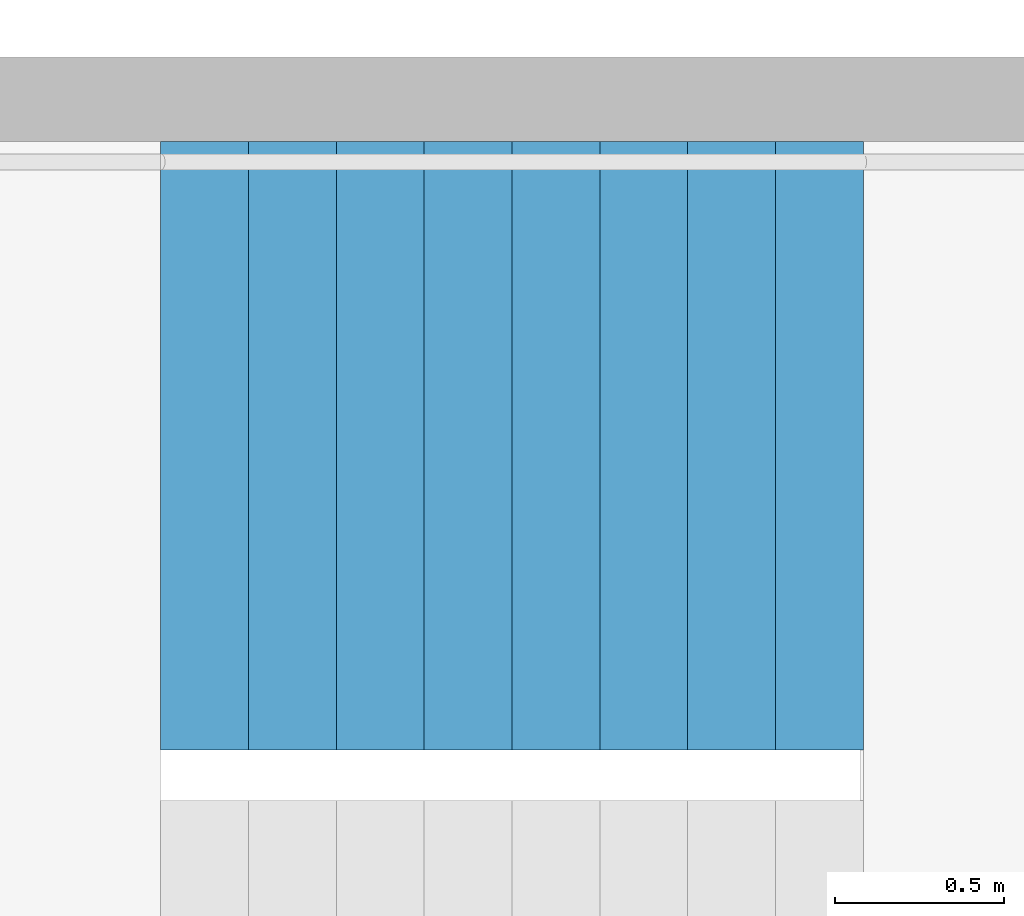
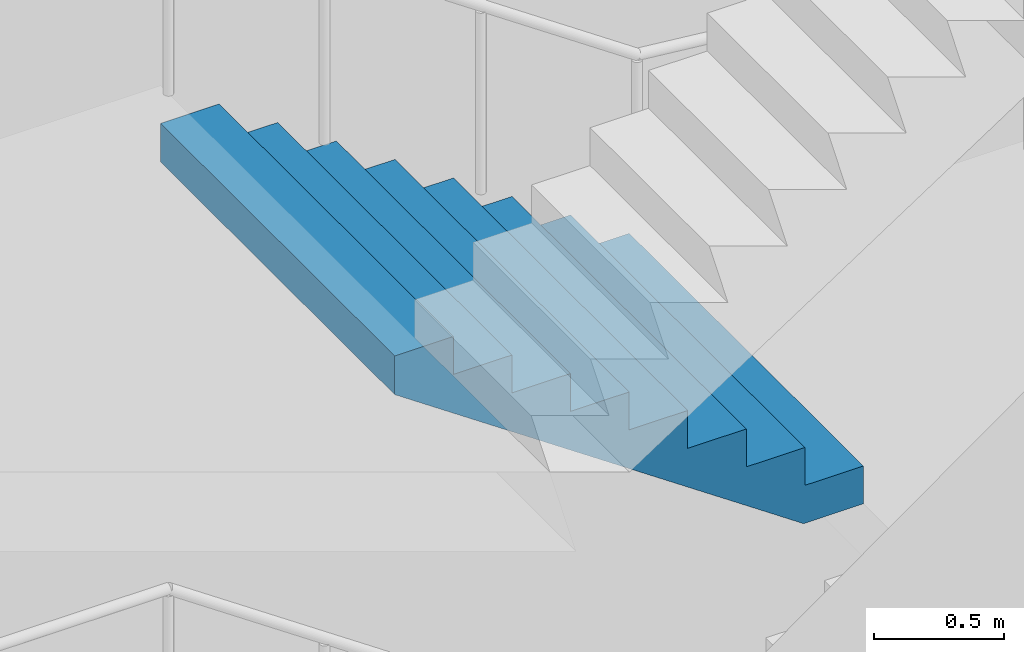
# One storey, part 18 of 41: 1 stair flight, 1 element without a shape of its own.
"""IFC4 building model written with IfcOpenShell, lengths in metres."""

import ifcopenshell
import ifcopenshell.guid

model = None  # the IFC model being written
_history = None  # IfcOwnerHistory: only IFC2X3 demands one
_inside = {}  # id of a spatial element -> (the spatial element, [elements in it])
_under = {}  # id of a project, library or spatial element -> (it, [spatial elements below it])
_declared = {}  # id of a project -> (the project, [libraries it declares])
_typed = {}  # id of a type object -> (the type object, [elements of that type])
_made_of = {}  # id of a material, layer set ... -> (it, [elements and type objects made of it])


def new_model(schema):
    """Start an empty IFC model of exactly this schema.

    Asked for "IFC4X3", IfcOpenShell would pick the latest addendum, in which some entities
    have other attributes; the version numbers below select the first issue.
    IFC2X3 requires an IfcOwnerHistory on every rooted entity: one is made here for all.
    """
    global model, _history
    if schema == "IFC4X3":
        model = ifcopenshell.file(schema_version=(4, 3, 0, 0))
    else:
        model = ifcopenshell.file(schema=schema)
    _inside.clear()
    _under.clear()
    _declared.clear()
    _typed.clear()
    _made_of.clear()
    _history = None
    if model.schema == "IFC2X3":
        org = make("IfcOrganization", Name="unknown")
        user = make(
            "IfcPersonAndOrganization",
            ThePerson=make("IfcPerson", FamilyName="unknown"),
            TheOrganization=org,
        )
        app = make(
            "IfcApplication",
            ApplicationDeveloper=org,
            Version="unknown",
            ApplicationFullName="unknown",
            ApplicationIdentifier="unknown",
        )
        _history = make(
            "IfcOwnerHistory",
            OwningUser=user,
            OwningApplication=app,
            ChangeAction="ADDED",
            CreationDate=0,
        )
    return model


def make(cls, **values):
    """One entity of the class cls with the attributes given. An attribute that is None is left unset."""
    return model.create_entity(
        cls, **{name: value for name, value in values.items() if value is not None}
    )


def rooted(cls, **values):
    """An entity with a GlobalId (a new one), such as an element, a storey or a relation."""
    return make(cls, GlobalId=ifcopenshell.guid.new(), OwnerHistory=_history, **values)


def si_unit(unit_type, name, prefix=None):
    """IfcSIUnit, for example si_unit("LENGTHUNIT", "METRE", prefix="MILLI")."""
    return make("IfcSIUnit", UnitType=unit_type, Prefix=prefix, Name=name)


def assignment(units):
    """IfcUnitAssignment: the units of a project."""
    return None if units is None else make("IfcUnitAssignment", Units=units)


def point(xyz):
    """IfcCartesianPoint."""
    return None if xyz is None else make("IfcCartesianPoint", Coordinates=xyz)


def direction(xyz):
    """IfcDirection."""
    return None if xyz is None else make("IfcDirection", DirectionRatios=xyz)


def frame(location, z_axis=None, x_axis=None):
    """IfcAxis2Placement3D, a coordinate frame: its origin and axes. An axis left out is left unset."""
    return make(
        "IfcAxis2Placement3D",
        Location=point(location),
        Axis=direction(z_axis),
        RefDirection=direction(x_axis),
    )


def origin():
    """The frame at (0, 0, 0) with its axes left unset."""
    return frame((0.0, 0.0, 0.0))


def place(relative_to, where):
    """IfcLocalPlacement: puts the frame where relative to a parent placement (None: the world)."""
    return make(
        "IfcLocalPlacement", PlacementRelTo=relative_to, RelativePlacement=where
    )


def context(
    kind, dimensions, precision=None, world=None, true_north=None, identifier=None
):
    """IfcGeometricRepresentationContext, for example the 3D "Model" context."""
    return make(
        "IfcGeometricRepresentationContext",
        ContextIdentifier=identifier,
        ContextType=kind,
        CoordinateSpaceDimension=dimensions,
        Precision=precision,
        WorldCoordinateSystem=world,
        TrueNorth=true_north,
    )


def subcontext(parent, identifier, kind, view, scale=None):
    """IfcGeometricRepresentationSubContext, for example "Body" below "Model"."""
    return make(
        "IfcGeometricRepresentationSubContext",
        ContextIdentifier=identifier,
        ContextType=kind,
        ParentContext=parent,
        TargetScale=scale,
        TargetView=view,
    )


def project(units=None, contexts=None):
    """IfcProject with its units and contexts."""
    return rooted(
        "IfcProject",
        Name="project",
        RepresentationContexts=contexts,
        UnitsInContext=assignment(units),
    )


def spatial(cls, under=None, at=None, **own):
    """A site, building, storey or space (cls), placed at a placement, below another one or the project."""
    s = rooted(cls, ObjectPlacement=at, **own)
    if under is not None:
        _under.setdefault(under.id(), (under, []))[1].append(s)
    return s


def point_list(points):
    """IfcCartesianPointList2D or 3D."""
    cls = (
        "IfcCartesianPointList2D" if len(points[0]) == 2 else "IfcCartesianPointList3D"
    )
    return make(cls, CoordList=points)


def triangles(points, corners, closed=None, point_numbers=None):
    """IfcTriangulatedFaceSet: each triangle names its three corners, points numbered from 1."""
    return make(
        "IfcTriangulatedFaceSet",
        Coordinates=point_list(points),
        Closed=closed,
        CoordIndex=corners,
        PnIndex=point_numbers,
    )


def shape(context_of_items, identifier, shape_type, items):
    """IfcShapeRepresentation: the items that make up one representation, for example the "Body"."""
    return make(
        "IfcShapeRepresentation",
        ContextOfItems=context_of_items,
        RepresentationIdentifier=identifier,
        RepresentationType=shape_type,
        Items=items,
    )


def material(Name=None, Category=None):
    """IfcMaterial."""
    return make("IfcMaterial", Name=Name, Category=Category)


def made_of(thing, what):
    """Note that an element or type object is made of a material, layer set ...; save() writes the relation."""
    if what is not None:
        _made_of.setdefault(what.id(), (what, []))[1].append(thing)
    return thing


def type_object(cls, material=None, **own):
    """A type object (cls), such as IfcWallType, which elements share."""
    return made_of(rooted(cls, **own), material)


def element(
    cls,
    number,
    at=None,
    inside=None,
    cuts=None,
    type_object=None,
    material=None,
    context=None,
    identifier="Body",
    shape_type=None,
    held_by="IfcProductDefinitionShape",
    body=None,
    shapes=None,
    **own,
):
    """One element of the class cls, such as IfcWall. Its Tag is "e" and its number.

    at: its placement. inside: the storey or other place that contains it. cuts: it is an
    opening in that element (IfcRelVoidsElement). A single representation is given by context,
    identifier, shape_type and body (its items); several are given by shapes. held_by: the class
    of the entity that holds the representations. save() writes the other relations.
    """
    e = rooted(cls, Tag="e%d" % number, ObjectPlacement=at, **own)
    if body is not None:
        shapes = [shape(context, identifier, shape_type, body)]
    if shapes is not None:
        e.Representation = make(held_by, Representations=shapes)
    if inside is not None:
        _inside.setdefault(inside.id(), (inside, []))[1].append(e)
    if cuts is not None:
        rooted(
            "IfcRelVoidsElement", RelatingBuildingElement=cuts, RelatedOpeningElement=e
        )
    if type_object is not None:
        _typed.setdefault(type_object.id(), (type_object, []))[1].append(e)
    return made_of(e, material)


def aggregate(whole, parts):
    """IfcRelAggregates: a whole, such as a stair, and the parts it consists of."""
    return rooted("IfcRelAggregates", RelatingObject=whole, RelatedObjects=parts)


def save(model, path):
    """Write the relations noted so far, then the file.

    IfcRelAggregates (storeys below a building ...), IfcRelContainedInSpatialStructure (elements
    in a storey), IfcRelDefinesByType, IfcRelAssociatesMaterial and IfcRelDeclares: one each for
    every whole, place, type object, material and project.
    """
    for whole, parts in _under.values():
        aggregate(whole, parts)
    for where, things in _inside.values():
        rooted(
            "IfcRelContainedInSpatialStructure",
            RelatedElements=things,
            RelatingStructure=where,
        )
    for kind, things in _typed.values():
        rooted("IfcRelDefinesByType", RelatedObjects=things, RelatingType=kind)
    for what, things in _made_of.values():
        rooted("IfcRelAssociatesMaterial", RelatedObjects=things, RelatingMaterial=what)
    for by, libraries in _declared.values():
        rooted("IfcRelDeclares", RelatingContext=by, RelatedDefinitions=libraries)
    model.write(path)


model = new_model("IFC4")

# Units and contexts
model_context = context("Model", 3, precision=1e-05, world=origin(), true_north=direction((0.0, 1.0)))
body_context = subcontext(model_context, "Body", "Model", "MODEL_VIEW")
ifc_project = project(units=[si_unit("LENGTHUNIT", "METRE"), si_unit("AREAUNIT", "SQUARE_METRE"), si_unit("VOLUMEUNIT", "CUBIC_METRE"), si_unit("PLANEANGLEUNIT", "RADIAN"), si_unit("MASSUNIT", "GRAM", prefix="KILO")], contexts=[model_context])

# Site, building, storey
site_placement = place(None, origin())
site = spatial("IfcSite", under=ifc_project, at=site_placement, CompositionType="ELEMENT")
building_placement = place(site_placement, origin())
building = spatial("IfcBuilding", under=site, at=building_placement, Name="Hakoniwa Tower and Hamabe Station Hall", CompositionType="ELEMENT")
storey_placement = place(building_placement, frame((0.0, 0.0, 180.199951171875)))
storey = spatial("IfcBuildingStorey", under=building, at=storey_placement, Name="L51", CompositionType="ELEMENT", Elevation=180.199951171875)

# Stair, stair flight
ifc_material_1 = material(Name="Concrete C40", Category="concrete")
stair_type = type_object("IfcStairType", Name="ESCAPE STAIR 1800", PredefinedType="HALF_TURN_STAIR", material=ifc_material_1)
stair_placement = place(storey_placement, origin())
stair = element("IfcStair", 1, at=stair_placement, inside=storey, type_object=stair_type, Name="Escape stair ST-2 L51", PredefinedType="HALF_TURN_STAIR")
ifc_material_2 = material(Name="Concrete C40", Category="concrete")
stair_flight_type = type_object("IfcStairFlightType", Name="STAIR FLIGHT 1800", PredefinedType="STRAIGHT", material=ifc_material_2)
stair_flight_placement = place(storey_placement, frame((-23.39990234375, -4.64990234375, 3.199951171875), z_axis=(0.0, 0.0, 1.0), x_axis=(-1.0, 0.0, 0.0)))
stair_flight = element("IfcStairFlight", 2, at=stair_flight_placement, type_object=stair_flight_type, Name="ST-2 flight 3", NumberOfRisers=9, NumberOfTreads=8, PredefinedType="STRAIGHT", RiserHeight=0.177777778, TreadLength=0.26, context=body_context, shape_type="Tessellation", body=[
    triangles([(0.0, 0.89990234375, 0.0), (0.260009765625, 0.89990234375, 0.0), (0.265625, 0.89990234375, 0.0), (0.52001953125, 0.89990234375, 0.174072265625), (0.780029296875, 0.89990234375, 0.351806640625), (1.0400390625, 0.89990234375, 0.529541015625), (1.300048828125, 0.89990234375, 0.707275390625), (1.56005859375, 0.89990234375, 0.885009765625), (1.820068359375, 0.89990234375, 1.062744140625), (2.080078125, 0.89990234375, 1.24072265625), (2.080078125, 0.89990234375, 1.422119140625), (1.820068359375, 0.89990234375, 1.422119140625), (1.820068359375, 0.89990234375, 1.244384765625), (1.56005859375, 0.89990234375, 1.244384765625), (1.56005859375, 0.89990234375, 1.066650390625), (1.300048828125, 0.89990234375, 1.066650390625), (1.300048828125, 0.89990234375, 0.888916015625), (1.0400390625, 0.89990234375, 0.888916015625), (1.0400390625, 0.89990234375, 0.711181640625), (0.780029296875, 0.89990234375, 0.711181640625), (0.780029296875, 0.89990234375, 0.533447265625), (0.52001953125, 0.89990234375, 0.533447265625), (0.52001953125, 0.89990234375, 0.35546875), (0.265625, 0.89990234375, 0.35546875), (0.260009765625, 0.89990234375, 0.35546875), (0.260009765625, 0.89990234375, 0.177734375), (0.0, 0.89990234375, 0.177734375), (0.0, 0.06005859375, 0.0), (0.260009765625, 0.06005859375, 0.0), (0.265625, 0.06005859375, 0.0), (0.52001953125, 0.06005859375, 0.174072265625), (0.780029296875, 0.06005859375, 0.351806640625), (1.0400390625, 0.06005859375, 0.529541015625), (1.300048828125, 0.06005859375, 0.707275390625), (1.56005859375, 0.06005859375, 0.885009765625), (1.820068359375, 0.06005859375, 1.062744140625), (2.080078125, 0.06005859375, 1.24072265625), (2.080078125, 0.06005859375, 1.422119140625), (1.820068359375, 0.06005859375, 1.422119140625), (1.820068359375, 0.06005859375, 1.244384765625), (1.56005859375, 0.06005859375, 1.244384765625), (1.56005859375, 0.06005859375, 1.066650390625), (1.300048828125, 0.06005859375, 1.066650390625), (1.300048828125, 0.06005859375, 0.888916015625), (1.0400390625, 0.06005859375, 0.888916015625), (1.0400390625, 0.06005859375, 0.711181640625), (0.780029296875, 0.06005859375, 0.711181640625), (0.780029296875, 0.06005859375, 0.533447265625), (0.52001953125, 0.06005859375, 0.533447265625), (0.52001953125, 0.06005859375, 0.35546875), (0.265625, 0.06005859375, 0.35546875), (0.260009765625, 0.06005859375, 0.35546875), (0.260009765625, 0.06005859375, 0.177734375), (0.0, 0.06005859375, 0.177734375), (0.0, 0.04296875, 0.0), (0.260009765625, 0.04296875, 0.0), (0.265625, 0.04296875, 0.0), (0.52001953125, 0.04296875, 0.174072265625), (0.780029296875, 0.04296875, 0.351806640625), (1.0400390625, 0.04296875, 0.529541015625), (1.300048828125, 0.04296875, 0.707275390625), (1.56005859375, 0.04296875, 0.885009765625), (1.820068359375, 0.04296875, 1.062744140625), (2.080078125, 0.04296875, 1.24072265625), (2.080078125, 0.04296875, 1.422119140625), (1.820068359375, 0.04296875, 1.422119140625), (1.820068359375, 0.04296875, 1.244384765625), (1.56005859375, 0.04296875, 1.244384765625), (1.56005859375, 0.04296875, 1.066650390625), (1.300048828125, 0.04296875, 1.066650390625), (1.300048828125, 0.04296875, 0.888916015625), (1.0400390625, 0.04296875, 0.888916015625), (1.0400390625, 0.04296875, 0.711181640625), (0.780029296875, 0.04296875, 0.711181640625), (0.780029296875, 0.04296875, 0.533447265625), (0.52001953125, 0.04296875, 0.533447265625), (0.52001953125, 0.04296875, 0.35546875), (0.265625, 0.04296875, 0.35546875), (0.260009765625, 0.04296875, 0.35546875), (0.260009765625, 0.04296875, 0.177734375), (0.0, 0.04296875, 0.177734375), (0.0, 0.025634765625, 0.0), (0.260009765625, 0.025634765625, 0.0), (0.265625, 0.025634765625, 0.0), (0.52001953125, 0.025634765625, 0.174072265625), (0.780029296875, 0.025634765625, 0.351806640625), (1.0400390625, 0.025634765625, 0.529541015625), (1.300048828125, 0.025634765625, 0.707275390625), (1.56005859375, 0.025634765625, 0.885009765625), (1.820068359375, 0.025634765625, 1.062744140625), (2.080078125, 0.025634765625, 1.24072265625), (2.080078125, 0.025634765625, 1.422119140625), (1.820068359375, 0.025634765625, 1.422119140625), (1.820068359375, 0.025634765625, 1.244384765625), (1.56005859375, 0.025634765625, 1.244384765625), (1.56005859375, 0.025634765625, 1.066650390625), (1.300048828125, 0.025634765625, 1.066650390625), (1.300048828125, 0.025634765625, 0.888916015625), (1.0400390625, 0.025634765625, 0.888916015625), (1.0400390625, 0.025634765625, 0.711181640625), (0.780029296875, 0.025634765625, 0.711181640625), (0.780029296875, 0.025634765625, 0.533447265625), (0.52001953125, 0.025634765625, 0.533447265625), (0.52001953125, 0.025634765625, 0.35546875), (0.265625, 0.025634765625, 0.35546875), (0.260009765625, 0.025634765625, 0.35546875), (0.260009765625, 0.025634765625, 0.177734375), (0.0, 0.025634765625, 0.177734375), (0.0, 0.008544921875, 0.0), (0.260009765625, 0.008544921875, 0.0), (0.265625, 0.008544921875, 0.0), (0.52001953125, 0.008544921875, 0.174072265625), (0.780029296875, 0.008544921875, 0.351806640625), (1.0400390625, 0.008544921875, 0.529541015625), (1.300048828125, 0.008544921875, 0.707275390625), (1.56005859375, 0.008544921875, 0.885009765625), (1.820068359375, 0.008544921875, 1.062744140625), (2.080078125, 0.008544921875, 1.24072265625), (2.080078125, 0.008544921875, 1.422119140625), (1.820068359375, 0.008544921875, 1.422119140625), (1.820068359375, 0.008544921875, 1.244384765625), (1.56005859375, 0.008544921875, 1.244384765625), (1.56005859375, 0.008544921875, 1.066650390625), (1.300048828125, 0.008544921875, 1.066650390625), (1.300048828125, 0.008544921875, 0.888916015625), (1.0400390625, 0.008544921875, 0.888916015625), (1.0400390625, 0.008544921875, 0.711181640625), (0.780029296875, 0.008544921875, 0.711181640625), (0.780029296875, 0.008544921875, 0.533447265625), (0.52001953125, 0.008544921875, 0.533447265625), (0.52001953125, 0.008544921875, 0.35546875), (0.265625, 0.008544921875, 0.35546875), (0.260009765625, 0.008544921875, 0.35546875), (0.260009765625, 0.008544921875, 0.177734375), (0.0, 0.008544921875, 0.177734375), (0.0, -0.008544921875, 0.0), (0.260009765625, -0.008544921875, 0.0), (0.265625, -0.008544921875, 0.0), (0.52001953125, -0.008544921875, 0.174072265625), (0.780029296875, -0.008544921875, 0.351806640625), (1.0400390625, -0.008544921875, 0.529541015625), (1.300048828125, -0.008544921875, 0.707275390625), (1.56005859375, -0.008544921875, 0.885009765625), (1.820068359375, -0.008544921875, 1.062744140625), (2.080078125, -0.008544921875, 1.24072265625), (2.080078125, -0.008544921875, 1.422119140625), (1.820068359375, -0.008544921875, 1.422119140625), (1.820068359375, -0.008544921875, 1.244384765625), (1.56005859375, -0.008544921875, 1.244384765625), (1.56005859375, -0.008544921875, 1.066650390625), (1.300048828125, -0.008544921875, 1.066650390625), (1.300048828125, -0.008544921875, 0.888916015625), (1.0400390625, -0.008544921875, 0.888916015625), (1.0400390625, -0.008544921875, 0.711181640625), (0.780029296875, -0.008544921875, 0.711181640625), (0.780029296875, -0.008544921875, 0.533447265625), (0.52001953125, -0.008544921875, 0.533447265625), (0.52001953125, -0.008544921875, 0.35546875), (0.265625, -0.008544921875, 0.35546875), (0.260009765625, -0.008544921875, 0.35546875), (0.260009765625, -0.008544921875, 0.177734375), (0.0, -0.008544921875, 0.177734375), (0.0, -0.025634765625, 0.0), (0.260009765625, -0.025634765625, 0.0), (0.265625, -0.025634765625, 0.0), (0.52001953125, -0.025634765625, 0.174072265625), (0.780029296875, -0.025634765625, 0.351806640625), (1.0400390625, -0.025634765625, 0.529541015625), (1.300048828125, -0.025634765625, 0.707275390625), (1.56005859375, -0.025634765625, 0.885009765625), (1.820068359375, -0.025634765625, 1.062744140625), (2.080078125, -0.025634765625, 1.24072265625), (2.080078125, -0.025634765625, 1.422119140625), (1.820068359375, -0.025634765625, 1.422119140625), (1.820068359375, -0.025634765625, 1.244384765625), (1.56005859375, -0.025634765625, 1.244384765625), (1.56005859375, -0.025634765625, 1.066650390625), (1.300048828125, -0.025634765625, 1.066650390625), (1.300048828125, -0.025634765625, 0.888916015625), (1.0400390625, -0.025634765625, 0.888916015625), (1.0400390625, -0.025634765625, 0.711181640625), (0.780029296875, -0.025634765625, 0.711181640625), (0.780029296875, -0.025634765625, 0.533447265625), (0.52001953125, -0.025634765625, 0.533447265625), (0.52001953125, -0.025634765625, 0.35546875), (0.265625, -0.025634765625, 0.35546875), (0.260009765625, -0.025634765625, 0.35546875), (0.260009765625, -0.025634765625, 0.177734375), (0.0, -0.025634765625, 0.177734375), (0.0, -0.04296875, 0.0), (0.260009765625, -0.04296875, 0.0), (0.265625, -0.04296875, 0.0), (0.52001953125, -0.04296875, 0.174072265625), (0.780029296875, -0.04296875, 0.351806640625), (1.0400390625, -0.04296875, 0.529541015625), (1.300048828125, -0.04296875, 0.707275390625), (1.56005859375, -0.04296875, 0.885009765625), (1.820068359375, -0.04296875, 1.062744140625), (2.080078125, -0.04296875, 1.24072265625), (2.080078125, -0.04296875, 1.422119140625), (1.820068359375, -0.04296875, 1.422119140625), (1.820068359375, -0.04296875, 1.244384765625), (1.56005859375, -0.04296875, 1.244384765625), (1.56005859375, -0.04296875, 1.066650390625), (1.300048828125, -0.04296875, 1.066650390625), (1.300048828125, -0.04296875, 0.888916015625), (1.0400390625, -0.04296875, 0.888916015625), (1.0400390625, -0.04296875, 0.711181640625), (0.780029296875, -0.04296875, 0.711181640625), (0.780029296875, -0.04296875, 0.533447265625), (0.52001953125, -0.04296875, 0.533447265625), (0.52001953125, -0.04296875, 0.35546875), (0.265625, -0.04296875, 0.35546875), (0.260009765625, -0.04296875, 0.35546875), (0.260009765625, -0.04296875, 0.177734375), (0.0, -0.04296875, 0.177734375), (0.0, -0.06005859375, 0.0), (0.260009765625, -0.06005859375, 0.0), (0.265625, -0.06005859375, 0.0), (0.52001953125, -0.06005859375, 0.174072265625), (0.780029296875, -0.06005859375, 0.351806640625), (1.0400390625, -0.06005859375, 0.529541015625), (1.300048828125, -0.06005859375, 0.707275390625), (1.56005859375, -0.06005859375, 0.885009765625), (1.820068359375, -0.06005859375, 1.062744140625), (2.080078125, -0.06005859375, 1.24072265625), (2.080078125, -0.06005859375, 1.422119140625), (1.820068359375, -0.06005859375, 1.422119140625), (1.820068359375, -0.06005859375, 1.244384765625), (1.56005859375, -0.06005859375, 1.244384765625), (1.56005859375, -0.06005859375, 1.066650390625), (1.300048828125, -0.06005859375, 1.066650390625), (1.300048828125, -0.06005859375, 0.888916015625), (1.0400390625, -0.06005859375, 0.888916015625), (1.0400390625, -0.06005859375, 0.711181640625), (0.780029296875, -0.06005859375, 0.711181640625), (0.780029296875, -0.06005859375, 0.533447265625), (0.52001953125, -0.06005859375, 0.533447265625), (0.52001953125, -0.06005859375, 0.35546875), (0.265625, -0.06005859375, 0.35546875), (0.260009765625, -0.06005859375, 0.35546875), (0.260009765625, -0.06005859375, 0.177734375), (0.0, -0.06005859375, 0.177734375), (0.0, -0.89990234375, 0.0), (0.260009765625, -0.89990234375, 0.0), (0.265625, -0.89990234375, 0.0), (0.52001953125, -0.89990234375, 0.174072265625), (0.780029296875, -0.89990234375, 0.351806640625), (1.0400390625, -0.89990234375, 0.529541015625), (1.300048828125, -0.89990234375, 0.707275390625), (1.56005859375, -0.89990234375, 0.885009765625), (1.820068359375, -0.89990234375, 1.062744140625), (2.080078125, -0.89990234375, 1.24072265625), (2.080078125, -0.89990234375, 1.422119140625), (1.820068359375, -0.89990234375, 1.422119140625), (1.820068359375, -0.89990234375, 1.244384765625), (1.56005859375, -0.89990234375, 1.244384765625), (1.56005859375, -0.89990234375, 1.066650390625), (1.300048828125, -0.89990234375, 1.066650390625), (1.300048828125, -0.89990234375, 0.888916015625), (1.0400390625, -0.89990234375, 0.888916015625), (1.0400390625, -0.89990234375, 0.711181640625), (0.780029296875, -0.89990234375, 0.711181640625), (0.780029296875, -0.89990234375, 0.533447265625), (0.52001953125, -0.89990234375, 0.533447265625), (0.52001953125, -0.89990234375, 0.35546875), (0.265625, -0.89990234375, 0.35546875), (0.260009765625, -0.89990234375, 0.35546875), (0.260009765625, -0.89990234375, 0.177734375), (0.0, -0.89990234375, 0.177734375)], [[2, 27, 26], [245, 269, 270], [2, 1, 27], [245, 270, 244], [3, 25, 24], [246, 267, 268], [3, 26, 25], [246, 268, 269], [3, 2, 26], [246, 269, 245], [4, 24, 23], [247, 266, 267], [4, 3, 24], [247, 267, 246], [5, 22, 21], [248, 264, 265], [5, 23, 22], [248, 265, 266], [5, 4, 23], [248, 266, 247], [6, 20, 19], [249, 262, 263], [6, 21, 20], [249, 263, 264], [6, 5, 21], [249, 264, 248], [7, 18, 17], [250, 260, 261], [7, 19, 18], [250, 261, 262], [7, 6, 19], [250, 262, 249], [8, 16, 15], [251, 258, 259], [8, 17, 16], [251, 259, 260], [8, 7, 17], [251, 260, 250], [9, 14, 13], [252, 256, 257], [9, 15, 14], [252, 257, 258], [9, 8, 15], [252, 258, 251], [10, 12, 11], [253, 254, 255], [10, 13, 12], [253, 255, 256], [10, 9, 13], [253, 256, 252], [1, 2, 29], [1, 29, 28], [28, 29, 56], [28, 56, 55], [55, 56, 83], [55, 83, 82], [82, 83, 110], [82, 110, 109], [109, 110, 137], [109, 137, 136], [136, 137, 164], [136, 164, 163], [163, 164, 191], [163, 191, 190], [190, 191, 218], [190, 218, 217], [217, 218, 245], [217, 245, 244], [2, 3, 30], [2, 30, 29], [29, 30, 57], [29, 57, 56], [56, 57, 84], [56, 84, 83], [83, 84, 111], [83, 111, 110], [110, 111, 138], [110, 138, 137], [137, 138, 165], [137, 165, 164], [164, 165, 192], [164, 192, 191], [191, 192, 219], [191, 219, 218], [218, 219, 246], [218, 246, 245], [3, 4, 31], [3, 31, 30], [30, 31, 58], [30, 58, 57], [57, 58, 85], [57, 85, 84], [84, 85, 112], [84, 112, 111], [111, 112, 139], [111, 139, 138], [138, 139, 166], [138, 166, 165], [165, 166, 193], [165, 193, 192], [192, 193, 220], [192, 220, 219], [219, 220, 247], [219, 247, 246], [4, 5, 32], [4, 32, 31], [31, 32, 59], [31, 59, 58], [58, 59, 86], [58, 86, 85], [85, 86, 113], [85, 113, 112], [112, 113, 140], [112, 140, 139], [139, 140, 167], [139, 167, 166], [166, 167, 194], [166, 194, 193], [193, 194, 221], [193, 221, 220], [220, 221, 248], [220, 248, 247], [5, 6, 33], [5, 33, 32], [32, 33, 60], [32, 60, 59], [59, 60, 87], [59, 87, 86], [86, 87, 114], [86, 114, 113], [113, 114, 141], [113, 141, 140], [140, 141, 168], [140, 168, 167], [167, 168, 195], [167, 195, 194], [194, 195, 222], [194, 222, 221], [221, 222, 249], [221, 249, 248], [6, 7, 34], [6, 34, 33], [33, 34, 61], [33, 61, 60], [60, 61, 88], [60, 88, 87], [87, 88, 115], [87, 115, 114], [114, 115, 142], [114, 142, 141], [141, 142, 169], [141, 169, 168], [168, 169, 196], [168, 196, 195], [195, 196, 223], [195, 223, 222], [222, 223, 250], [222, 250, 249], [7, 8, 35], [7, 35, 34], [34, 35, 62], [34, 62, 61], [61, 62, 89], [61, 89, 88], [88, 89, 116], [88, 116, 115], [115, 116, 143], [115, 143, 142], [142, 143, 170], [142, 170, 169], [169, 170, 197], [169, 197, 196], [196, 197, 224], [196, 224, 223], [223, 224, 251], [223, 251, 250], [8, 9, 36], [8, 36, 35], [35, 36, 63], [35, 63, 62], [62, 63, 90], [62, 90, 89], [89, 90, 117], [89, 117, 116], [116, 117, 144], [116, 144, 143], [143, 144, 171], [143, 171, 170], [170, 171, 198], [170, 198, 197], [197, 198, 225], [197, 225, 224], [224, 225, 252], [224, 252, 251], [9, 10, 37], [9, 37, 36], [36, 37, 64], [36, 64, 63], [63, 64, 91], [63, 91, 90], [90, 91, 118], [90, 118, 117], [117, 118, 145], [117, 145, 144], [144, 145, 172], [144, 172, 171], [171, 172, 199], [171, 199, 198], [198, 199, 226], [198, 226, 225], [225, 226, 253], [225, 253, 252], [10, 11, 38], [10, 38, 37], [37, 38, 65], [37, 65, 64], [64, 65, 92], [64, 92, 91], [91, 92, 119], [91, 119, 118], [118, 119, 146], [118, 146, 145], [145, 146, 173], [145, 173, 172], [172, 173, 200], [172, 200, 199], [199, 200, 227], [199, 227, 226], [226, 227, 254], [226, 254, 253], [11, 12, 39], [11, 39, 38], [38, 39, 66], [38, 66, 65], [65, 66, 93], [65, 93, 92], [92, 93, 120], [92, 120, 119], [119, 120, 147], [119, 147, 146], [146, 147, 174], [146, 174, 173], [173, 174, 201], [173, 201, 200], [200, 201, 228], [200, 228, 227], [227, 228, 255], [227, 255, 254], [12, 13, 40], [12, 40, 39], [39, 40, 67], [39, 67, 66], [66, 67, 94], [66, 94, 93], [93, 94, 121], [93, 121, 120], [120, 121, 148], [120, 148, 147], [147, 148, 175], [147, 175, 174], [174, 175, 202], [174, 202, 201], [201, 202, 229], [201, 229, 228], [228, 229, 256], [228, 256, 255], [13, 14, 41], [13, 41, 40], [40, 41, 68], [40, 68, 67], [67, 68, 95], [67, 95, 94], [94, 95, 122], [94, 122, 121], [121, 122, 149], [121, 149, 148], [148, 149, 176], [148, 176, 175], [175, 176, 203], [175, 203, 202], [202, 203, 230], [202, 230, 229], [229, 230, 257], [229, 257, 256], [14, 15, 42], [14, 42, 41], [41, 42, 69], [41, 69, 68], [68, 69, 96], [68, 96, 95], [95, 96, 123], [95, 123, 122], [122, 123, 150], [122, 150, 149], [149, 150, 177], [149, 177, 176], [176, 177, 204], [176, 204, 203], [203, 204, 231], [203, 231, 230], [230, 231, 258], [230, 258, 257], [15, 16, 43], [15, 43, 42], [42, 43, 70], [42, 70, 69], [69, 70, 97], [69, 97, 96], [96, 97, 124], [96, 124, 123], [123, 124, 151], [123, 151, 150], [150, 151, 178], [150, 178, 177], [177, 178, 205], [177, 205, 204], [204, 205, 232], [204, 232, 231], [231, 232, 259], [231, 259, 258], [16, 17, 44], [16, 44, 43], [43, 44, 71], [43, 71, 70], [70, 71, 98], [70, 98, 97], [97, 98, 125], [97, 125, 124], [124, 125, 152], [124, 152, 151], [151, 152, 179], [151, 179, 178], [178, 179, 206], [178, 206, 205], [205, 206, 233], [205, 233, 232], [232, 233, 260], [232, 260, 259], [17, 18, 45], [17, 45, 44], [44, 45, 72], [44, 72, 71], [71, 72, 99], [71, 99, 98], [98, 99, 126], [98, 126, 125], [125, 126, 153], [125, 153, 152], [152, 153, 180], [152, 180, 179], [179, 180, 207], [179, 207, 206], [206, 207, 234], [206, 234, 233], [233, 234, 261], [233, 261, 260], [18, 19, 46], [18, 46, 45], [45, 46, 73], [45, 73, 72], [72, 73, 100], [72, 100, 99], [99, 100, 127], [99, 127, 126], [126, 127, 154], [126, 154, 153], [153, 154, 181], [153, 181, 180], [180, 181, 208], [180, 208, 207], [207, 208, 235], [207, 235, 234], [234, 235, 262], [234, 262, 261], [19, 20, 47], [19, 47, 46], [46, 47, 74], [46, 74, 73], [73, 74, 101], [73, 101, 100], [100, 101, 128], [100, 128, 127], [127, 128, 155], [127, 155, 154], [154, 155, 182], [154, 182, 181], [181, 182, 209], [181, 209, 208], [208, 209, 236], [208, 236, 235], [235, 236, 263], [235, 263, 262], [20, 21, 48], [20, 48, 47], [47, 48, 75], [47, 75, 74], [74, 75, 102], [74, 102, 101], [101, 102, 129], [101, 129, 128], [128, 129, 156], [128, 156, 155], [155, 156, 183], [155, 183, 182], [182, 183, 210], [182, 210, 209], [209, 210, 237], [209, 237, 236], [236, 237, 264], [236, 264, 263], [21, 22, 49], [21, 49, 48], [48, 49, 76], [48, 76, 75], [75, 76, 103], [75, 103, 102], [102, 103, 130], [102, 130, 129], [129, 130, 157], [129, 157, 156], [156, 157, 184], [156, 184, 183], [183, 184, 211], [183, 211, 210], [210, 211, 238], [210, 238, 237], [237, 238, 265], [237, 265, 264], [22, 23, 50], [22, 50, 49], [49, 50, 77], [49, 77, 76], [76, 77, 104], [76, 104, 103], [103, 104, 131], [103, 131, 130], [130, 131, 158], [130, 158, 157], [157, 158, 185], [157, 185, 184], [184, 185, 212], [184, 212, 211], [211, 212, 239], [211, 239, 238], [238, 239, 266], [238, 266, 265], [23, 24, 51], [23, 51, 50], [50, 51, 78], [50, 78, 77], [77, 78, 105], [77, 105, 104], [104, 105, 132], [104, 132, 131], [131, 132, 159], [131, 159, 158], [158, 159, 186], [158, 186, 185], [185, 186, 213], [185, 213, 212], [212, 213, 240], [212, 240, 239], [239, 240, 267], [239, 267, 266], [24, 25, 52], [24, 52, 51], [51, 52, 79], [51, 79, 78], [78, 79, 106], [78, 106, 105], [105, 106, 133], [105, 133, 132], [132, 133, 160], [132, 160, 159], [159, 160, 187], [159, 187, 186], [186, 187, 214], [186, 214, 213], [213, 214, 241], [213, 241, 240], [240, 241, 268], [240, 268, 267], [25, 26, 53], [25, 53, 52], [52, 53, 80], [52, 80, 79], [79, 80, 107], [79, 107, 106], [106, 107, 134], [106, 134, 133], [133, 134, 161], [133, 161, 160], [160, 161, 188], [160, 188, 187], [187, 188, 215], [187, 215, 214], [214, 215, 242], [214, 242, 241], [241, 242, 269], [241, 269, 268], [26, 27, 54], [26, 54, 53], [53, 54, 81], [53, 81, 80], [80, 81, 108], [80, 108, 107], [107, 108, 135], [107, 135, 134], [134, 135, 162], [134, 162, 161], [161, 162, 189], [161, 189, 188], [188, 189, 216], [188, 216, 215], [215, 216, 243], [215, 243, 242], [242, 243, 270], [242, 270, 269], [27, 1, 28], [27, 28, 54], [54, 28, 55], [54, 55, 81], [81, 55, 82], [81, 82, 108], [108, 82, 109], [108, 109, 135], [135, 109, 136], [135, 136, 162], [162, 136, 163], [162, 163, 189], [189, 163, 190], [189, 190, 216], [216, 190, 217], [216, 217, 243], [243, 217, 244], [243, 244, 270]], closed=True),
])
aggregate(stair, [stair_flight])

save(model, "model.ifc")
